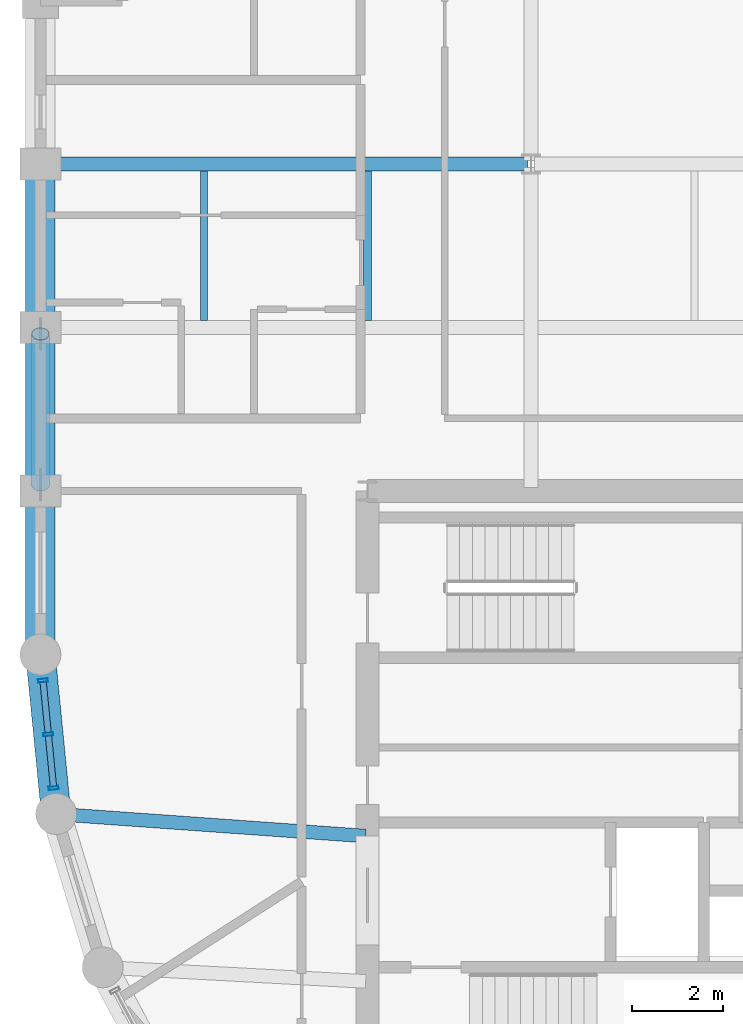
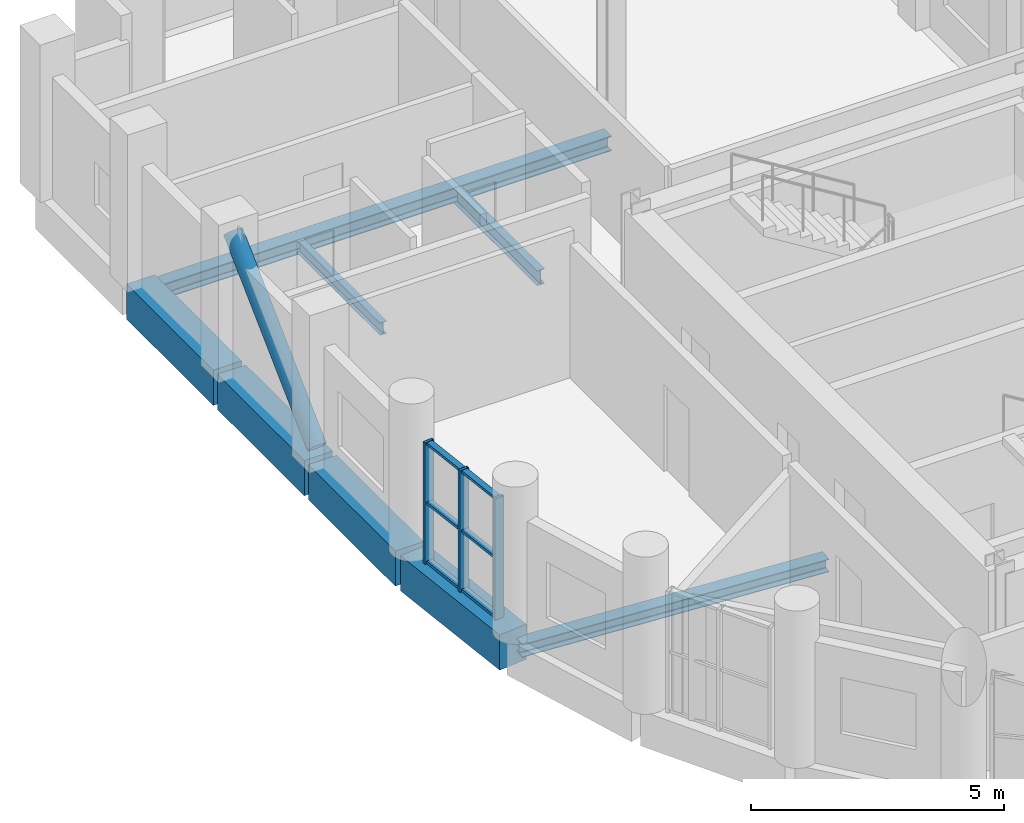
# One storey, part 4 of 12: 10 members, 8 beams, 1 element without a shape of its own.
"""IFC4 building model written with IfcOpenShell, lengths in metres."""

from ifc_helpers import new_model, si_unit, direction, frame, origin, origin_2d, place, context, subcontext, project, spatial, rectangle, hollow_rectangle, hollow_circle, i_section, extrude, material, layer, layer_set, material_profile, profile_set, type_object, element, aggregate, save


model = new_model("IFC4")

# Units and contexts
model_context = context("Model", 3, precision=1e-05, world=origin(), true_north=direction((0.0, 1.0)))
body_context = subcontext(model_context, "Body", "Model", "MODEL_VIEW")
ifc_project = project(units=[si_unit("LENGTHUNIT", "METRE"), si_unit("AREAUNIT", "SQUARE_METRE"), si_unit("VOLUMEUNIT", "CUBIC_METRE"), si_unit("PLANEANGLEUNIT", "RADIAN"), si_unit("MASSUNIT", "GRAM", prefix="KILO")], contexts=[model_context])

# Site, building, storey
site_placement = place(None, origin())
site = spatial("IfcSite", under=ifc_project, at=site_placement, CompositionType="ELEMENT")
building_placement = place(site_placement, origin())
building = spatial("IfcBuilding", under=site, at=building_placement, Name="Solnavia Interchange Tower", CompositionType="ELEMENT")
storey_placement = place(building_placement, frame((0.0, 0.0, 182.39990234375)))
storey = spatial("IfcBuildingStorey", under=building, at=storey_placement, Name="L45", CompositionType="ELEMENT", Elevation=182.39990234375)

# Beams
ifc_material_1 = material(Name="Steel S460", Category="steel")
ifc_material_profile_1 = material_profile(ifc_material_1, i_section(OverallWidth=0.300048828125, OverallDepth=0.360107421875, WebThickness=0.012451171875, FlangeThickness=0.0224609375, FilletRadius=0.027099609375, at=origin_2d()), Name="HEB 360")
ifc_profile_set_1 = profile_set([ifc_material_profile_1], Name="Steel S460")
beam_type_1 = type_object("IfcBeamType", Name="Beam-Girder-HEB360", PredefinedType="BEAM", material=ifc_profile_set_1)
beam_1_placement = place(storey_placement, frame((7.280029296875, 32.39990234375, -0.429931640625), z_axis=(1.0, 0.0, 0.0), x_axis=(0.0, 1.0, 0.0)))
element("IfcBeam", 1, at=beam_1_placement, inside=storey, type_object=beam_type_1, Name="GRD-L45-NW10 North wing primary floor girder", PredefinedType="BEAM", context=body_context, shape_type="SweptSolid", body=[
    extrude(i_section(OverallWidth=0.300048828125, OverallDepth=0.360107421875, WebThickness=0.012451171875, FlangeThickness=0.0224609375, FilletRadius=0.027099609375, at=origin_2d()), origin(), (0.0, 0.0, 1.0), 10.639892578125),
])
ifc_material_2 = material(Name="Steel S355", Category="steel")
ifc_material_profile_2 = material_profile(ifc_material_2, i_section(OverallWidth=0.14990234375, OverallDepth=0.300048828125, WebThickness=0.007080078125, FlangeThickness=0.0107421875, FilletRadius=0.014892578125, at=origin_2d()), Name="IPE 300")
ifc_profile_set_2 = profile_set([ifc_material_profile_2], Name="Steel S355")
beam_type_2 = type_object("IfcBeamType", Name="Beam-Joist-IPE300", PredefinedType="JOIST", material=ifc_profile_set_2)
beam_2_placement = place(storey_placement, frame((10.800048828125, 28.949951171875, -0.39990234375), z_axis=(0.0, 1.0, 0.0), x_axis=(-1.0, 0.0, 0.0)))
element("IfcBeam", 2, at=beam_2_placement, inside=storey, type_object=beam_type_2, Name="JST-L45-N09 North wing secondary joist", PredefinedType="JOIST", context=body_context, shape_type="SweptSolid", body=[
    extrude(i_section(OverallWidth=0.14990234375, OverallDepth=0.300048828125, WebThickness=0.007080078125, FlangeThickness=0.0107421875, FilletRadius=0.014892578125, at=origin_2d()), origin(), (0.0, 0.0, 1.0), 3.300048828125),
])
ifc_material_profile_3 = material_profile(ifc_material_2, i_section(OverallWidth=0.169921875, OverallDepth=0.360107421875, WebThickness=0.008056640625, FlangeThickness=0.0126953125, FilletRadius=0.01806640625, at=origin_2d()), Name="IPE 360")
ifc_profile_set_3 = profile_set([ifc_material_profile_3], Name="Steel S355")
beam_type_3 = type_object("IfcBeamType", Name="Beam-Joist-IPE360", PredefinedType="JOIST", material=ifc_profile_set_3)
beam_3_placement = place(storey_placement, frame((14.39990234375, 28.949951171875, -0.429931640625), z_axis=(0.0, 1.0, 0.0), x_axis=(-1.0, 0.0, 0.0)))
element("IfcBeam", 3, at=beam_3_placement, inside=storey, type_object=beam_type_3, Name="JST-L45-N10 North wing secondary joist", PredefinedType="JOIST", context=body_context, shape_type="SweptSolid", body=[
    extrude(i_section(OverallWidth=0.169921875, OverallDepth=0.360107421875, WebThickness=0.008056640625, FlangeThickness=0.0126953125, FilletRadius=0.01806640625, at=origin_2d()), origin(), (0.0, 0.0, 1.0), 3.300048828125),
])
ifc_material_profile_4 = material_profile(ifc_material_2, i_section(OverallWidth=0.300048828125, OverallDepth=0.31005859375, WebThickness=0.009033203125, FlangeThickness=0.015380859375, FilletRadius=0.027099609375, at=origin_2d()), Name="HEA 320")
ifc_profile_set_4 = profile_set([ifc_material_profile_4], Name="Steel S355")
beam_type_4 = type_object("IfcBeamType", Name="Beam-Primary-HEA320", PredefinedType="BEAM", material=ifc_profile_set_4)
beam_4_placement = place(storey_placement, frame((7.625732421875, 18.082275390625, -0.40478515625), z_axis=(0.99747482749, -0.071020902015, 0.0), x_axis=(0.071020902015, 0.99747482749, 0.0)))
element("IfcBeam", 4, at=beam_4_placement, inside=storey, type_object=beam_type_4, Name="GRD-L45-DR12 Drum radial floor girder", PredefinedType="BEAM", context=body_context, shape_type="SweptSolid", body=[
    extrude(i_section(OverallWidth=0.300048828125, OverallDepth=0.31005859375, WebThickness=0.009033203125, FlangeThickness=0.015380859375, FilletRadius=0.027099609375, at=origin_2d()), origin(), (0.0, 0.0, 1.0), 6.75146484375),
])
ifc_material_3 = material(Name="Concrete C50/60", Category="concrete")
ifc_material_profile_5 = material_profile(ifc_material_3, rectangle(XDim=0.64990234375, YDim=0.85009765625, at=origin_2d()), Name="RC 650x850")
ifc_profile_set_5 = profile_set([ifc_material_profile_5], Name="Concrete C50/60")
beam_type_5 = type_object("IfcBeamType", Name="Beam-Spandrel-RC650x850", PredefinedType="SPANDREL", material=ifc_profile_set_5)
beam_5_placement = place(storey_placement, frame((7.207763671875, 21.5205078125, -0.4248046875), z_axis=(0.098040038117, -0.995182471171, 0.0), x_axis=(0.995182471171, 0.098040038117, 0.0)))
element("IfcBeam", 5, at=beam_5_placement, inside=storey, type_object=beam_type_5, Name="SPB-L45-01 Framed-tube perimeter spandrel beam", PredefinedType="SPANDREL", context=body_context, shape_type="SweptSolid", body=[
    extrude(rectangle(XDim=0.64990234375, YDim=0.85009765625, at=origin_2d()), origin(), (0.0, 0.0, 1.0), 3.369140625),
])
beam_6_placement = place(storey_placement, frame((7.199951171875, 32.320068359375, -0.4248046875), z_axis=(0.0, -1.0, 0.0), x_axis=(1.0, 0.0, 0.0)))
element("IfcBeam", 6, at=beam_6_placement, inside=storey, type_object=beam_type_5, Name="SPB-L45-31 Framed-tube perimeter spandrel beam", PredefinedType="SPANDREL", context=body_context, shape_type="SweptSolid", body=[
    extrude(rectangle(XDim=0.64990234375, YDim=0.85009765625, at=origin_2d()), origin(), (0.0, 0.0, 1.0), 3.440185546875),
])
beam_7_placement = place(storey_placement, frame((7.199951171875, 28.719970703125, -0.4248046875), z_axis=(0.0, -1.0, 0.0), x_axis=(1.0, 0.0, 0.0)))
element("IfcBeam", 7, at=beam_7_placement, inside=storey, type_object=beam_type_5, Name="SPB-L45-32 Framed-tube perimeter spandrel beam", PredefinedType="SPANDREL", context=body_context, shape_type="SweptSolid", body=[
    extrude(rectangle(XDim=0.64990234375, YDim=0.85009765625, at=origin_2d()), origin(), (0.0, 0.0, 1.0), 3.43994140625),
])
beam_8_placement = place(storey_placement, frame((7.199951171875, 25.1201171875, -0.4248046875), z_axis=(0.0, -1.0, 0.0), x_axis=(1.0, 0.0, 0.0)))
element("IfcBeam", 8, at=beam_8_placement, inside=storey, type_object=beam_type_5, Name="SPB-L45-33 Framed-tube perimeter spandrel beam", PredefinedType="SPANDREL", context=body_context, shape_type="SweptSolid", body=[
    extrude(rectangle(XDim=0.64990234375, YDim=0.85009765625, at=origin_2d()), origin(), (0.0, 0.0, 1.0), 3.440185546875),
])

# Member
ifc_material_profile_6 = material_profile(ifc_material_1, hollow_circle(Radius=0.203125, WallThickness=0.02001953125, at=origin_2d()), Name="CHS 406.4x20")
ifc_profile_set_6 = profile_set([ifc_material_profile_6], Name="Steel S460")
member_type_1 = type_object("IfcMemberType", Name="Brace-Perim-CHS406", PredefinedType="BRACE", material=ifc_profile_set_6)
member_1_placement = place(storey_placement, frame((7.199951171875, 25.340087890625, 0.18017578125), z_axis=(0.0, 0.721071463745, 0.69286069608), x_axis=(-1.0, 0.0, 0.0)))
element("IfcMember", 9, at=member_1_placement, inside=storey, type_object=member_type_1, Name="BRC-L45-01 Perimeter tube diagonal brace", PredefinedType="BRACE", context=body_context, shape_type="SweptSolid", body=[
    extrude(hollow_circle(Radius=0.203125, WallThickness=0.02001953125, at=origin_2d()), origin(), (0.0, 0.0, 1.0), 4.60400390625),
])

# Curtain wall, members
ifc_material_4 = material(Name="Aluminium Alloy 6063-T6", Category="aluminium")
ifc_layer = layer(ifc_material_4, 0.239990234375)
ifc_layer_set = layer_set([ifc_layer], Name="Aluminium Alloy 6063-T6")
curtain_wall_type = type_object("IfcCurtainWallType", Name="CurtainWall-Drum-CTW2", PredefinedType="NOTDEFINED", material=ifc_layer_set)
curtain_wall_placement = place(storey_placement, origin())
curtain_wall = element("IfcCurtainWall", 10, at=curtain_wall_placement, inside=storey, type_object=curtain_wall_type, Name="CTW-L45-D47 CTW-2 curtain wall", PredefinedType="NOTDEFINED")
ifc_material_profile_7 = material_profile(ifc_material_4, hollow_rectangle(XDim=0.074951171875, YDim=0.219970703125, WallThickness=0.0048828125, at=origin_2d()), Name="ALU 220x75x5")
ifc_profile_set_7 = profile_set([ifc_material_profile_7], Name="Aluminium Alloy 6063-T6")
member_type_2 = type_object("IfcMemberType", Name="CW-Mullion-CWM-2", PredefinedType="MULLION", material=ifc_profile_set_7)
member_2_placement = place(storey_placement, frame((7.25634765625, 21.02783203125, 0.0), z_axis=(0.0, 0.0, 1.0), x_axis=(0.098043088306, -0.995182170678, 0.0)))
member_2 = element("IfcMember", 11, at=member_2_placement, type_object=member_type_2, Name="CTW-2 mullion 1", PredefinedType="MULLION", context=body_context, shape_type="SweptSolid", body=[
    extrude(hollow_rectangle(XDim=0.074951171875, YDim=0.219970703125, WallThickness=0.0048828125, at=origin_2d()), origin(), (0.0, 0.0, 1.0), 2.93017578125),
])
member_3_placement = place(storey_placement, frame((7.373046875, 19.843994140625, 0.0), z_axis=(0.0, 0.0, 1.0), x_axis=(0.098043088306, -0.995182170678, 0.0)))
member_3 = element("IfcMember", 12, at=member_3_placement, type_object=member_type_2, Name="CTW-2 mullion 2", PredefinedType="MULLION", context=body_context, shape_type="SweptSolid", body=[
    extrude(hollow_rectangle(XDim=0.074951171875, YDim=0.219970703125, WallThickness=0.0048828125, at=origin_2d()), origin(), (0.0, 0.0, 1.0), 2.93017578125),
])
member_4_placement = place(storey_placement, frame((7.489501953125, 18.66015625, 0.0), z_axis=(0.0, 0.0, 1.0), x_axis=(0.098043088306, -0.995182170678, 0.0)))
member_4 = element("IfcMember", 13, at=member_4_placement, type_object=member_type_2, Name="CTW-2 mullion 3", PredefinedType="MULLION", context=body_context, shape_type="SweptSolid", body=[
    extrude(hollow_rectangle(XDim=0.074951171875, YDim=0.219970703125, WallThickness=0.0048828125, at=origin_2d()), origin(), (0.0, 0.0, 1.0), 2.93017578125),
])
ifc_material_profile_8 = material_profile(ifc_material_4, hollow_rectangle(XDim=0.06494140625, YDim=0.139892578125, WallThickness=0.00390625, at=origin_2d()), Name="ALU 140x65x4")
ifc_profile_set_8 = profile_set([ifc_material_profile_8], Name="Aluminium Alloy 6063-T6")
member_type_3 = type_object("IfcMemberType", Name="CW-Transom-CWT-2", PredefinedType="USERDEFINED", material=ifc_profile_set_8)
member_5_placement = place(storey_placement, frame((7.260009765625, 20.990478515625, 0.03271484375), z_axis=(0.098137234257, -0.995172891136, 0.0), x_axis=(0.0, 0.0, 1.0)))
member_5 = element("IfcMember", 14, at=member_5_placement, type_object=member_type_3, Name="CTW-2 transom 1.1", ObjectType="TRANSOM", PredefinedType="USERDEFINED", context=body_context, shape_type="SweptSolid", body=[
    extrude(hollow_rectangle(XDim=0.06494140625, YDim=0.139892578125, WallThickness=0.00390625, at=origin_2d()), origin(), (0.0, 0.0, 1.0), 1.114501953125),
])
member_6_placement = place(storey_placement, frame((7.260009765625, 20.990478515625, 1.465087890625), z_axis=(0.098137234257, -0.995172891136, 0.0), x_axis=(0.0, 0.0, 1.0)))
member_6 = element("IfcMember", 15, at=member_6_placement, type_object=member_type_3, Name="CTW-2 transom 1.2", ObjectType="TRANSOM", PredefinedType="USERDEFINED", context=body_context, shape_type="SweptSolid", body=[
    extrude(hollow_rectangle(XDim=0.06494140625, YDim=0.139892578125, WallThickness=0.00390625, at=origin_2d()), origin(), (0.0, 0.0, 1.0), 1.114501953125),
])
member_7_placement = place(storey_placement, frame((7.260009765625, 20.990478515625, 2.897705078125), z_axis=(0.098137234257, -0.995172891136, 0.0), x_axis=(0.0, 0.0, 1.0)))
member_7 = element("IfcMember", 16, at=member_7_placement, type_object=member_type_3, Name="CTW-2 transom 1.3", ObjectType="TRANSOM", PredefinedType="USERDEFINED", context=body_context, shape_type="SweptSolid", body=[
    extrude(hollow_rectangle(XDim=0.06494140625, YDim=0.139892578125, WallThickness=0.00390625, at=origin_2d()), origin(), (0.0, 0.0, 1.0), 1.114501953125),
])
member_8_placement = place(storey_placement, frame((7.376708984375, 19.806640625, 0.03271484375), z_axis=(0.097920280653, -0.995194261758, 0.0), x_axis=(0.0, 0.0, 1.0)))
member_8 = element("IfcMember", 17, at=member_8_placement, type_object=member_type_3, Name="CTW-2 transom 2.1", ObjectType="TRANSOM", PredefinedType="USERDEFINED", context=body_context, shape_type="SweptSolid", body=[
    extrude(hollow_rectangle(XDim=0.06494140625, YDim=0.139892578125, WallThickness=0.00390625, at=origin_2d()), origin(), (0.0, 0.0, 1.0), 1.114501953125),
])
member_9_placement = place(storey_placement, frame((7.376708984375, 19.806640625, 1.465087890625), z_axis=(0.097920280653, -0.995194261758, 0.0), x_axis=(0.0, 0.0, 1.0)))
member_9 = element("IfcMember", 18, at=member_9_placement, type_object=member_type_3, Name="CTW-2 transom 2.2", ObjectType="TRANSOM", PredefinedType="USERDEFINED", context=body_context, shape_type="SweptSolid", body=[
    extrude(hollow_rectangle(XDim=0.06494140625, YDim=0.139892578125, WallThickness=0.00390625, at=origin_2d()), origin(), (0.0, 0.0, 1.0), 1.114501953125),
])
member_10_placement = place(storey_placement, frame((7.376708984375, 19.806640625, 2.897705078125), z_axis=(0.097920280653, -0.995194261758, 0.0), x_axis=(0.0, 0.0, 1.0)))
member_10 = element("IfcMember", 19, at=member_10_placement, type_object=member_type_3, Name="CTW-2 transom 2.3", ObjectType="TRANSOM", PredefinedType="USERDEFINED", context=body_context, shape_type="SweptSolid", body=[
    extrude(hollow_rectangle(XDim=0.06494140625, YDim=0.139892578125, WallThickness=0.00390625, at=origin_2d()), origin(), (0.0, 0.0, 1.0), 1.114501953125),
])
aggregate(curtain_wall, [member_2, member_3, member_4, member_5, member_6, member_7, member_8, member_9, member_10])

save(model, "model.ifc")
